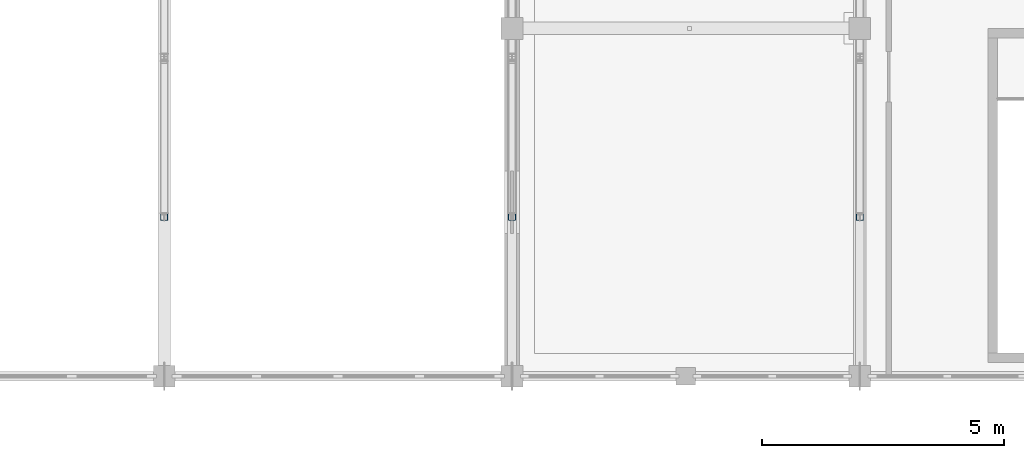
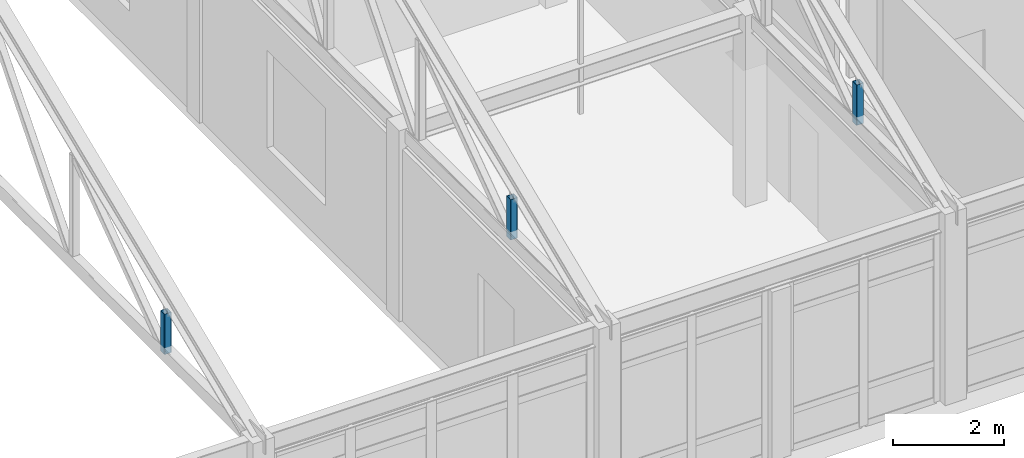
# One storey, part 69 of 136: 3 members.
"""IFC4 building model written with IfcOpenShell, lengths in metres."""

from ifc_helpers import new_model, si_unit, direction, frame, origin, origin_2d, place, context, subcontext, project, spatial, hollow_rectangle, extrude, material, material_profile, profile_set, type_object, element, save


model = new_model("IFC4")

# Units and contexts
model_context = context("Model", 3, precision=1e-05, world=origin(), true_north=direction((0.0, 1.0)))
body_context = subcontext(model_context, "Body", "Model", "MODEL_VIEW")
ifc_project = project(units=[si_unit("LENGTHUNIT", "METRE"), si_unit("AREAUNIT", "SQUARE_METRE"), si_unit("VOLUMEUNIT", "CUBIC_METRE"), si_unit("PLANEANGLEUNIT", "RADIAN"), si_unit("MASSUNIT", "GRAM", prefix="KILO")], contexts=[model_context])

# Site, building, storey
site_placement = place(None, origin())
site = spatial("IfcSite", under=ifc_project, at=site_placement, CompositionType="ELEMENT")
building_placement = place(site_placement, origin())
building = spatial("IfcBuilding", under=site, at=building_placement, Name="Koriwan Promenade Central Fire Station", CompositionType="ELEMENT")
storey_placement = place(building_placement, frame((0.0, 0.0, 5.39990234375)))
storey = spatial("IfcBuildingStorey", under=building, at=storey_placement, Name="L01", CompositionType="ELEMENT", Elevation=5.39990234375)

# Members
ifc_material = material(Name="Steel ASTM A500 Grade C", Category="steel")
ifc_material_profile = material_profile(ifc_material, hollow_rectangle(XDim=0.14990234375, YDim=0.14990234375, WallThickness=0.008056640625, InnerFilletRadius=0.008056640625, OuterFilletRadius=0.01611328125, at=origin_2d()), Name="HSS150x150x8")
ifc_profile_set = profile_set([ifc_material_profile], Name="Steel ASTM A500 Grade C")
member_type = type_object("IfcMemberType", Name="Member_STRUT_HSS150x150x8", PredefinedType="STRUT", material=ifc_profile_set)
for number, where, z_axis, x_axis, name in (
    (1, (93.60009765625, 46.5, 4.02001953125), (0.0, 0.0, 1.0), (1.0, 0.0, 0.0), "TR_V1_06 vertical 1"),
    (2, (100.800048828125, 46.5, 4.02001953125), (0.0, 0.0, 1.0), (1.0, 0.0, 0.0), "TR_V1_07 vertical 1"),
    (3, (108.0, 46.5, 4.02001953125), (0.0, 0.0, 1.0), (1.0, 0.0, 0.0), "TR_V1_08 vertical 1"),
):
    element("IfcMember", number, at=place(storey_placement, frame(where, z_axis=z_axis, x_axis=x_axis)), inside=storey, type_object=member_type, Name=name, PredefinedType="STRUT", context=body_context, shape_type="SweptSolid", body=[
        extrude(hollow_rectangle(XDim=0.14990234375, YDim=0.14990234375, WallThickness=0.008056640625, InnerFilletRadius=0.008056640625, OuterFilletRadius=0.01611328125, at=origin_2d()), origin(), (0.0, 0.0, 1.0), 0.886962890625),
    ])

save(model, "model.ifc")
